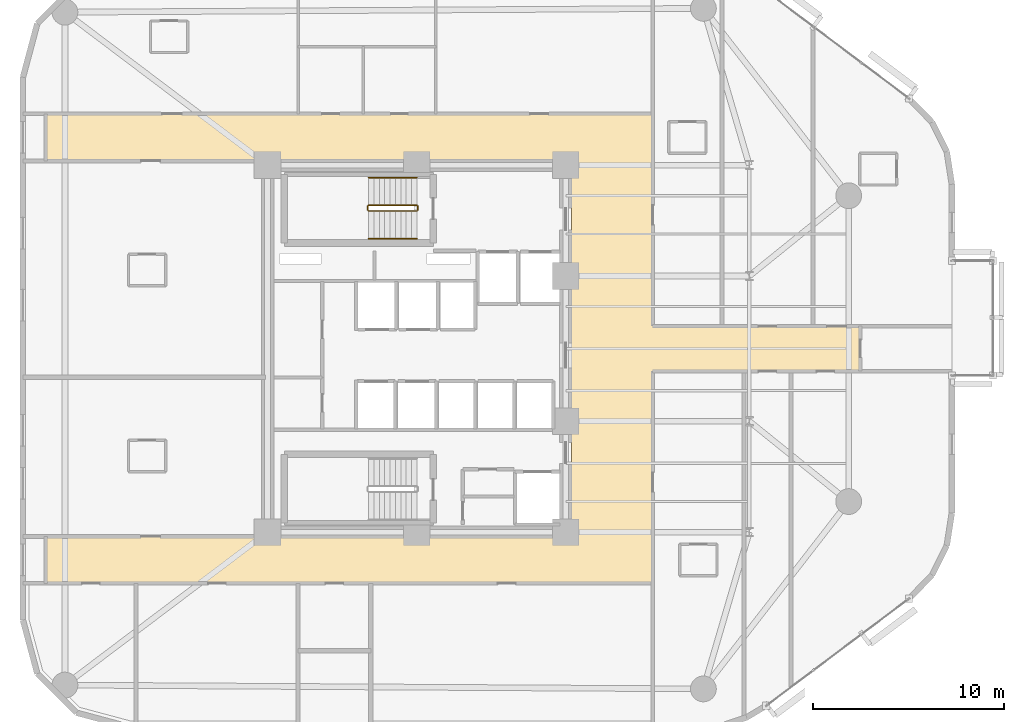
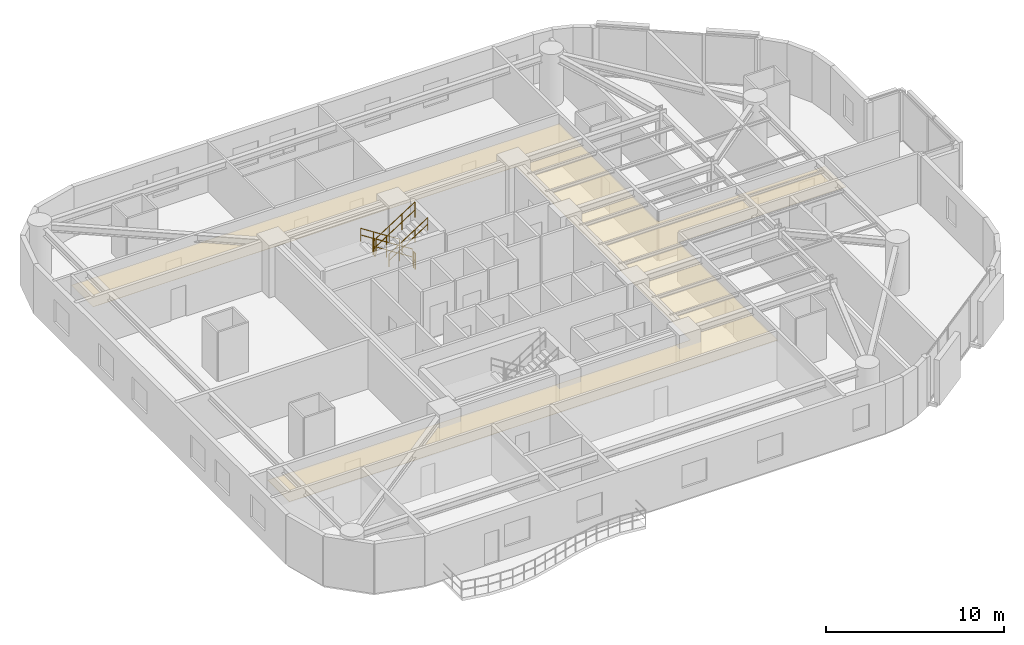
# One storey, part 13 of 14: 6 railings, 1 covering.
"""IFC4 building model written with IfcOpenShell, lengths in metres."""

from ifc_helpers import new_model, si_unit, direction, frame, origin, origin_2d, place, context, subcontext, project, spatial, polyline, circle, outline, extrude, material, layer, layer_set, type_object, element, save


model = new_model("IFC4")

# Units and contexts
model_context = context("Model", 3, precision=1e-05, world=origin(), true_north=direction((0.0, 1.0)))
body_context = subcontext(model_context, "Body", "Model", "MODEL_VIEW")
ifc_project = project(units=[si_unit("LENGTHUNIT", "METRE"), si_unit("AREAUNIT", "SQUARE_METRE"), si_unit("VOLUMEUNIT", "CUBIC_METRE"), si_unit("PLANEANGLEUNIT", "RADIAN"), si_unit("MASSUNIT", "GRAM", prefix="KILO")], contexts=[model_context])

# Site, building, storey
site_placement = place(None, origin())
site = spatial("IfcSite", under=ifc_project, at=site_placement, CompositionType="ELEMENT")
building_placement = place(site_placement, origin())
building = spatial("IfcBuilding", under=site, at=building_placement, Name="An Khanh Terracotta Commons", CompositionType="ELEMENT")
storey_placement = place(building_placement, frame((0.0, 0.0, 93.5)))
storey = spatial("IfcBuildingStorey", under=building, at=storey_placement, Name="L24", CompositionType="ELEMENT", Elevation=93.5)

# Covering
ifc_material_1 = material(Name="Perforated Mineral-Fibre Acoustic Tile")
ifc_layer = layer(ifc_material_1, 0.02001953125, Name="Perforated Mineral-Fibre Acoustic Tile")
ifc_layer_set = layer_set([ifc_layer], Name="Perforated Mineral-Fibre Acoustic Tile")
covering_type = type_object("IfcCoveringType", Name="CEIL-ACOUSTIC-18", PredefinedType="CEILING", material=ifc_layer_set)
covering_placement = place(storey_placement, frame((0.0, 0.0, 2.64990234375)))
element("IfcCovering", 1, at=covering_placement, inside=storey, type_object=covering_type, Name="L24 Corridor Ceiling", PredefinedType="CEILING", context=body_context, shape_type="SweptSolid", body=[
    extrude(outline(polyline([(10.0, 11.719970703125), (10.0, 14.179931640625), (37.5, 14.179931640625), (37.5, 33.820068359375), (10.0, 33.820068359375), (10.0, 36.280029296875), (37.5, 36.280029296875), (41.75, 36.280029296875), (41.75, 33.820068359375), (41.75, 25.179931640625), (52.60009765625, 25.179931640625), (52.60009765625, 22.820068359375), (41.75, 22.820068359375), (41.75, 14.179931640625), (41.75, 11.719970703125), (37.5, 11.719970703125), (10.0, 11.719970703125)])), origin(), (0.0, 0.0, 1.0), 0.02001953125),
])

# Railings
ifc_material_2 = material(Name="Brushed Stainless Steel 316", Category="steel")
railing_type_1 = type_object("IfcRailingType", Name="RAIL-HANDRAIL-900", PredefinedType="HANDRAIL", material=ifc_material_2)
railing_1_placement = place(storey_placement, frame((29.409912109375, 32.949951171875, 0.179931640625)))
element("IfcRailing", 2, at=railing_1_placement, inside=storey, type_object=railing_type_1, Name="L24 ST-01 stair handrail 1", PredefinedType="HANDRAIL", context=body_context, shape_type="SweptSolid", body=[
    extrude(circle(Radius=0.02392578125, at=origin_2d()), frame((0.0, 0.0, 0.8759765625), z_axis=(-0.841162588446, 0.0, 0.540782303519), x_axis=(0.0, -1.0, 0.0)), (0.0, 0.0, 1.0), 2.995849609375),
    extrude(circle(Radius=0.02392578125, at=origin_2d()), frame((0.0, 0.0, 0.42578125), z_axis=(-0.841162588446, 0.0, 0.540782303519), x_axis=(0.0, -1.0, 0.0)), (0.0, 0.0, 1.0), 2.995849609375),
    extrude(circle(Radius=0.02099609375, at=origin_2d()), origin(), (0.0, 0.0, 1.0), 0.851806640625),
    extrude(circle(Radius=0.02099609375, at=origin_2d()), frame((-0.840087890625, 0.0, 0.5400390625)), (0.0, 0.0, 1.0), 0.851806640625),
    extrude(circle(Radius=0.02099609375, at=origin_2d()), frame((-1.679931640625, 0.0, 1.080078125)), (0.0, 0.0, 1.0), 0.851806640625),
    extrude(circle(Radius=0.02099609375, at=origin_2d()), frame((-2.52001953125, 0.0, 1.6201171875)), (0.0, 0.0, 1.0), 0.851806640625),
])
railing_2_placement = place(storey_placement, frame((26.889892578125, 29.75, 1.97998046875)))
element("IfcRailing", 3, at=railing_2_placement, inside=storey, type_object=railing_type_1, Name="L24 ST-01 stair handrail 2", PredefinedType="HANDRAIL", context=body_context, shape_type="SweptSolid", body=[
    extrude(circle(Radius=0.02392578125, at=origin_2d()), frame((0.0, 0.0, 0.8759765625), z_axis=(0.841162588446, 0.0, 0.540782303519), x_axis=(0.0, 1.0, 0.0)), (0.0, 0.0, 1.0), 2.995849609375),
    extrude(circle(Radius=0.02392578125, at=origin_2d()), frame((0.0, 0.0, 0.42578125), z_axis=(0.841162588446, 0.0, 0.540782303519), x_axis=(0.0, 1.0, 0.0)), (0.0, 0.0, 1.0), 2.995849609375),
    extrude(circle(Radius=0.02099609375, at=origin_2d()), origin(), (0.0, 0.0, 1.0), 0.851806640625),
    extrude(circle(Radius=0.02099609375, at=origin_2d()), frame((0.840087890625, 0.0, 0.5400390625)), (0.0, 0.0, 1.0), 0.851806640625),
    extrude(circle(Radius=0.02099609375, at=origin_2d()), frame((1.679931640625, 0.0, 1.080078125)), (0.0, 0.0, 1.0), 0.851806640625),
    extrude(circle(Radius=0.02099609375, at=origin_2d()), frame((2.52001953125, 0.0, 1.6201171875)), (0.0, 0.0, 1.0), 0.851806640625),
])
ifc_material_3 = material(Name="Powder-Coated Steel S355J2", Category="steel")
railing_type_2 = type_object("IfcRailingType", Name="RAIL-STAIR-GUARD-1100", PredefinedType="BALUSTRADE", material=ifc_material_3)
railing_3_placement = place(storey_placement, frame((29.409912109375, 31.5, 0.179931640625)))
element("IfcRailing", 4, at=railing_3_placement, inside=storey, type_object=railing_type_2, Name="L24 ST-01 stair guard 1", PredefinedType="BALUSTRADE", context=body_context, shape_type="SweptSolid", body=[
    extrude(circle(Radius=0.02392578125, at=origin_2d()), frame((0.0, 0.0, 1.076171875), z_axis=(-0.841162588446, 0.0, 0.540782303519), x_axis=(0.0, -1.0, 0.0)), (0.0, 0.0, 1.0), 2.995849609375),
    extrude(circle(Radius=0.02392578125, at=origin_2d()), frame((0.0, 0.0, 0.52587890625), z_axis=(-0.841162588446, 0.0, 0.540782303519), x_axis=(0.0, -1.0, 0.0)), (0.0, 0.0, 1.0), 2.995849609375),
    extrude(circle(Radius=0.02099609375, at=origin_2d()), origin(), (0.0, 0.0, 1.0), 1.052001953125),
    extrude(circle(Radius=0.02099609375, at=origin_2d()), frame((-0.840087890625, 0.0, 0.5400390625)), (0.0, 0.0, 1.0), 1.052001953125),
    extrude(circle(Radius=0.02099609375, at=origin_2d()), frame((-1.679931640625, 0.0, 1.080078125)), (0.0, 0.0, 1.0), 1.052001953125),
    extrude(circle(Radius=0.02099609375, at=origin_2d()), frame((-2.52001953125, 0.0, 1.6201171875)), (0.0, 0.0, 1.0), 1.052001953125),
])
railing_4_placement = place(storey_placement, frame((26.840087890625, 31.449951171875, 1.800048828125)))
element("IfcRailing", 5, at=railing_4_placement, inside=storey, type_object=railing_type_2, Name="L24 ST-01 stair guard 2", PredefinedType="BALUSTRADE", context=body_context, shape_type="SweptSolid", body=[
    extrude(circle(Radius=0.02392578125, at=origin_2d()), frame((0.0, 0.0, 1.076171875), z_axis=(0.0, -1.0, 0.0), x_axis=(1.0, 0.0, 0.0)), (0.0, 0.0, 1.0), 0.199951171875),
    extrude(circle(Radius=0.02392578125, at=origin_2d()), frame((0.0, 0.0, 0.52587890625), z_axis=(0.0, -1.0, 0.0), x_axis=(1.0, 0.0, 0.0)), (0.0, 0.0, 1.0), 0.199951171875),
    extrude(circle(Radius=0.02099609375, at=origin_2d()), origin(), (0.0, 0.0, 1.0), 1.052001953125),
    extrude(circle(Radius=0.02099609375, at=origin_2d()), frame((0.0, -0.199951171875, 0.0)), (0.0, 0.0, 1.0), 1.052001953125),
])
railing_5_placement = place(storey_placement, frame((26.889892578125, 31.199951171875, 1.97998046875)))
element("IfcRailing", 6, at=railing_5_placement, inside=storey, type_object=railing_type_2, Name="L24 ST-01 stair guard 3", PredefinedType="BALUSTRADE", context=body_context, shape_type="SweptSolid", body=[
    extrude(circle(Radius=0.02392578125, at=origin_2d()), frame((0.0, 0.0, 1.076171875), z_axis=(0.841162588446, 0.0, 0.540782303519), x_axis=(0.0, 1.0, 0.0)), (0.0, 0.0, 1.0), 2.995849609375),
    extrude(circle(Radius=0.02392578125, at=origin_2d()), frame((0.0, 0.0, 0.52587890625), z_axis=(0.841162588446, 0.0, 0.540782303519), x_axis=(0.0, 1.0, 0.0)), (0.0, 0.0, 1.0), 2.995849609375),
    extrude(circle(Radius=0.02099609375, at=origin_2d()), origin(), (0.0, 0.0, 1.0), 1.052001953125),
    extrude(circle(Radius=0.02099609375, at=origin_2d()), frame((0.840087890625, 0.0, 0.5400390625)), (0.0, 0.0, 1.0), 1.052001953125),
    extrude(circle(Radius=0.02099609375, at=origin_2d()), frame((1.679931640625, 0.0, 1.080078125)), (0.0, 0.0, 1.0), 1.052001953125),
    extrude(circle(Radius=0.02099609375, at=origin_2d()), frame((2.52001953125, 0.0, 1.6201171875)), (0.0, 0.0, 1.0), 1.052001953125),
])
railing_6_placement = place(storey_placement, frame((29.4599609375, 31.449951171875, 0.0)))
element("IfcRailing", 7, at=railing_6_placement, inside=storey, type_object=railing_type_2, Name="L24 ST-01 stair guard 4", PredefinedType="BALUSTRADE", context=body_context, shape_type="SweptSolid", body=[
    extrude(circle(Radius=0.02392578125, at=origin_2d()), frame((0.0, 0.0, 1.076171875), z_axis=(0.0, -1.0, 0.0), x_axis=(1.0, 0.0, 0.0)), (0.0, 0.0, 1.0), 0.199951171875),
    extrude(circle(Radius=0.02392578125, at=origin_2d()), frame((0.0, 0.0, 0.52587890625), z_axis=(0.0, -1.0, 0.0), x_axis=(1.0, 0.0, 0.0)), (0.0, 0.0, 1.0), 0.199951171875),
    extrude(circle(Radius=0.02099609375, at=origin_2d()), origin(), (0.0, 0.0, 1.0), 1.052001953125),
    extrude(circle(Radius=0.02099609375, at=origin_2d()), frame((0.0, -0.199951171875, 0.0)), (0.0, 0.0, 1.0), 1.052001953125),
])

save(model, "model.ifc")
